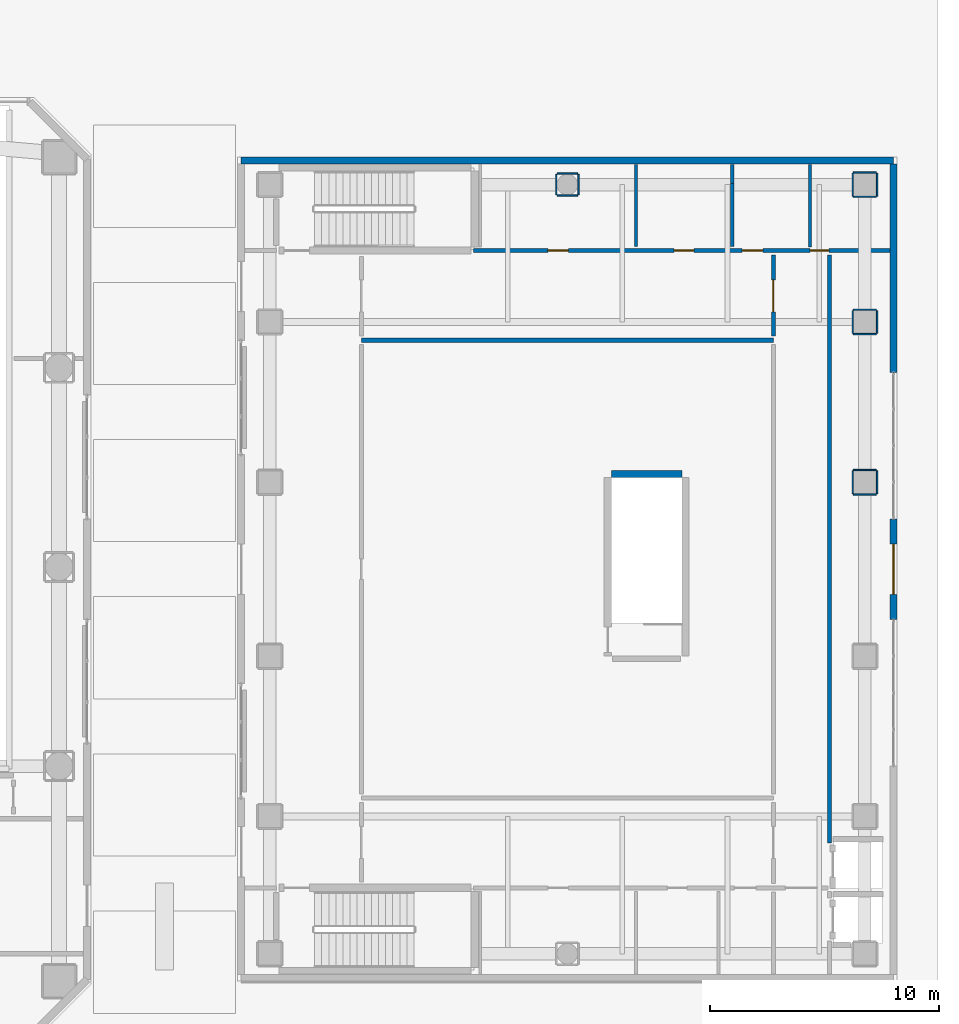
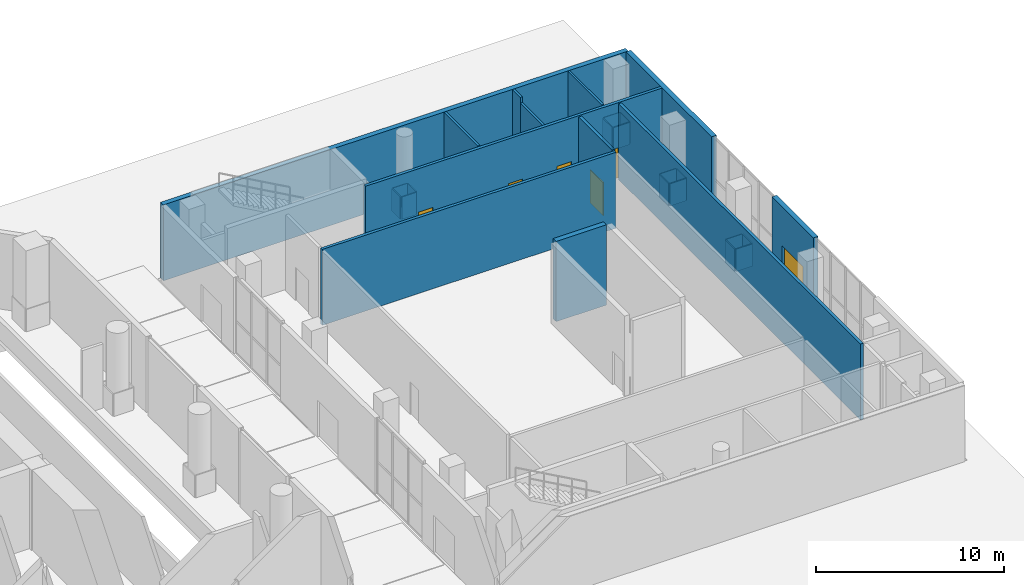
# One storey, part 25 of 30: 28 walls, 6 doors, 6 openings.
"""IFC4 building model written with IfcOpenShell, lengths in metres."""

from ifc_helpers import new_model, si_unit, direction, frame, frame_2d, origin, place, context, subcontext, project, spatial, rectangle, extrude, material, layer, layer_set, type_object, element, fill, save


model = new_model("IFC4")

# Units and contexts
model_context = context("Model", 3, precision=1e-05, world=origin(), true_north=direction((0.0, 1.0)))
body_context = subcontext(model_context, "Body", "Model", "MODEL_VIEW")
ifc_project = project(units=[si_unit("LENGTHUNIT", "METRE"), si_unit("AREAUNIT", "SQUARE_METRE"), si_unit("VOLUMEUNIT", "CUBIC_METRE"), si_unit("PLANEANGLEUNIT", "RADIAN"), si_unit("MASSUNIT", "GRAM", prefix="KILO")], contexts=[model_context])

# Site, building, storey
site_placement = place(None, origin())
site = spatial("IfcSite", under=ifc_project, at=site_placement, CompositionType="ELEMENT")
building_placement = place(site_placement, origin())
building = spatial("IfcBuilding", under=site, at=building_placement, Name="Solanera Arch Residences", CompositionType="ELEMENT")
storey_placement = place(building_placement, origin())
storey = spatial("IfcBuildingStorey", under=building, at=storey_placement, Name="L00", CompositionType="ELEMENT", Elevation=0.0)

# Walls
ifc_material_1 = material(Name="Fire-Rated Gypsum Stud Partition", Category="gypsum")
ifc_layer_1 = layer(ifc_material_1, 0.06005859375)
ifc_layer_set_1 = layer_set([ifc_layer_1], Name="Fire-Rated Gypsum Stud Partition")
wall_type_1 = type_object("IfcWallType", Name="Column Acoustic Furring Wall 60", PredefinedType="PARTITIONING", material=ifc_layer_set_1)
for number, where, z_axis, x_axis, name in (
    (1, (81.300048828125, 33.867919921875, 0.0), (0.0, 0.0, 1.0), (1.0, 0.0, 0.0), "L00 Column Furring 34S"),
    (2, (81.300048828125, 34.931884765625, 0.0), (0.0, 0.0, 1.0), (1.0, 0.0, 0.0), "L00 Column Furring 34N"),
    (3, (81.26806640625, 33.89990234375, 0.0), (0.0, 0.0, 1.0), (0.0, 1.0, 0.0), "L00 Column Furring 34W"),
    (4, (82.33203125, 33.89990234375, 0.0), (0.0, 0.0, 1.0), (0.0, 1.0, 0.0), "L00 Column Furring 34E"),
    (5, (81.300048828125, 40.867919921875, 0.0), (0.0, 0.0, 1.0), (1.0, 0.0, 0.0), "L00 Column Furring 35S"),
    (6, (81.300048828125, 41.931884765625, 0.0), (0.0, 0.0, 1.0), (1.0, 0.0, 0.0), "L00 Column Furring 35N"),
    (7, (81.26806640625, 40.89990234375, 0.0), (0.0, 0.0, 1.0), (0.0, 1.0, 0.0), "L00 Column Furring 35W"),
    (8, (82.33203125, 40.89990234375, 0.0), (0.0, 0.0, 1.0), (0.0, 1.0, 0.0), "L00 Column Furring 35E"),
    (9, (81.300048828125, 46.867919921875, 0.0), (0.0, 0.0, 1.0), (1.0, 0.0, 0.0), "L00 Column Furring 36S"),
    (10, (81.300048828125, 47.931884765625, 0.0), (0.0, 0.0, 1.0), (1.0, 0.0, 0.0), "L00 Column Furring 36N"),
    (11, (81.26806640625, 46.89990234375, 0.0), (0.0, 0.0, 1.0), (0.0, 1.0, 0.0), "L00 Column Furring 36W"),
    (12, (82.33203125, 46.89990234375, 0.0), (0.0, 0.0, 1.0), (0.0, 1.0, 0.0), "L00 Column Furring 36E"),
):
    element("IfcWall", number, at=place(storey_placement, frame(where, z_axis=z_axis, x_axis=x_axis)), inside=storey, type_object=wall_type_1, Name=name, PredefinedType="PARTITIONING", context=body_context, shape_type="SweptSolid", body=[
        extrude(rectangle(XDim=1.0, YDim=0.06005859375, at=frame_2d((0.5, 0.0))), origin(), (0.0, 0.0, 1.0), 1.449951171875),
    ])
for number, where, z_axis, x_axis, name in (
    (13, (68.35009765625, 46.91796875, 0.0), (0.0, 0.0, 1.0), (1.0, 0.0, 0.0), "L00 Column Furring 38S"),
    (14, (68.35009765625, 47.882080078125, 0.0), (0.0, 0.0, 1.0), (1.0, 0.0, 0.0), "L00 Column Furring 38N"),
):
    element("IfcWall", number, at=place(storey_placement, frame(where, z_axis=z_axis, x_axis=x_axis)), inside=storey, type_object=wall_type_1, Name=name, PredefinedType="PARTITIONING", context=body_context, shape_type="SweptSolid", body=[
        extrude(rectangle(XDim=0.89990234375, YDim=0.06005859375, at=frame_2d((0.449951171875, 0.0))), origin(), (0.0, 0.0, 1.0), 1.449951171875),
    ])
for number, where, z_axis, x_axis, name in (
    (15, (68.318115234375, 46.949951171875, 0.0), (0.0, 0.0, 1.0), (0.0, 1.0, 0.0), "L00 Column Furring 38W"),
    (16, (69.281982421875, 46.949951171875, 0.0), (0.0, 0.0, 1.0), (0.0, 1.0, 0.0), "L00 Column Furring 38E"),
):
    element("IfcWall", number, at=place(storey_placement, frame(where, z_axis=z_axis, x_axis=x_axis)), inside=storey, type_object=wall_type_1, Name=name, PredefinedType="PARTITIONING", context=body_context, shape_type="SweptSolid", body=[
        extrude(rectangle(XDim=0.900146484375, YDim=0.06005859375, at=frame_2d((0.4501953125, 0.0))), origin(), (0.0, 0.0, 1.0), 1.449951171875),
    ])
ifc_material_2 = material(Name="Concrete C40/50 (f'c = 45 MPa)", Category="concrete")
ifc_layer_2 = layer(ifc_material_2, 0.320068359375)
ifc_layer_set_2 = layer_set([ifc_layer_2], Name="Concrete C40/50 (f'c = 45 MPa)")
wall_type_2 = type_object("IfcWallType", Name="Core Shear Wall CW-320", PredefinedType="SHEAR", material=ifc_layer_set_2)
wall_1_placement = place(storey_placement, frame((70.719970703125, 34.760009765625, 0.0), z_axis=(0.0, 0.0, 1.0), x_axis=(1.0, 0.0, 0.0)))
element("IfcWall", 17, at=wall_1_placement, inside=storey, type_object=wall_type_2, Name="L00 Stair ST-B1 North Shear Wall", PredefinedType="SHEAR", context=body_context, shape_type="SweptSolid", body=[
    extrude(rectangle(XDim=3.080078125, YDim=0.320068359375, at=frame_2d((1.5400390625, 0.0))), origin(), (0.0, 0.0, 1.0), 5.199951171875),
])
ifc_material_3 = material(Name="Autoclaved Aerated Concrete Blockwork", Category="masonry")
ifc_layer_3 = layer(ifc_material_3, 0.179931640625)
ifc_layer_set_3 = layer_set([ifc_layer_3], Name="Autoclaved Aerated Concrete Blockwork")
wall_type_3 = type_object("IfcWallType", Name="Corridor Fire Partition 180", PredefinedType="PARTITIONING", material=ifc_layer_set_3)
wall_2_placement = place(storey_placement, frame((59.800048828125, 40.60009765625, 0.0), z_axis=(0.0, 0.0, 1.0), x_axis=(1.0, 0.0, 0.0)))
element("IfcWall", 18, at=wall_2_placement, inside=storey, type_object=wall_type_3, Name="L00 Interior Partition H20", PredefinedType="PARTITIONING", context=body_context, shape_type="SweptSolid", body=[
    extrude(rectangle(XDim=18.0, YDim=0.179931640625, at=frame_2d((9.0, 0.0))), origin(), (0.0, 0.0, 1.0), 4.919921875),
])

# Wall, openings, doors
wall_3_placement = place(storey_placement, frame((64.699951171875, 44.52001953125, 0.0), z_axis=(0.0, 0.0, 1.0), x_axis=(1.0, 0.0, 0.0)))
wall_3 = element("IfcWall", 19, at=wall_3_placement, inside=storey, type_object=wall_type_3, Name="L00 Interior Partition H22 2", PredefinedType="PARTITIONING", context=body_context, shape_type="SweptSolid", body=[
    extrude(rectangle(XDim=18.18798828125, YDim=0.179931640625, at=frame_2d((9.093994140625, 0.0))), origin(), (0.0, 0.0, 1.0), 4.919921875),
])
opening_1_placement = place(wall_3_placement, frame((3.25, 0.0, 0.0)))
opening_1 = element("IfcOpeningElement", 20, at=opening_1_placement, cuts=wall_3, Name="Opening DI-02", PredefinedType="OPENING", context=body_context, shape_type="SweptSolid", body=[
    extrude(rectangle(XDim=0.89990234375, YDim=2.10009765625, at=frame_2d((0.449951171875, 1.050048828125))), frame((0.0, 0.10009765625, 0.0), z_axis=(0.0, -1.0, 0.0), x_axis=(1.0, 0.0, 0.0)), (0.0, 0.0, 1.0), 0.1999),
])
opening_2_placement = place(wall_3_placement, frame((8.77001953125, 0.0, 0.0)))
opening_2 = element("IfcOpeningElement", 21, at=opening_2_placement, cuts=wall_3, Name="Opening DI-05", PredefinedType="OPENING", context=body_context, shape_type="SweptSolid", body=[
    extrude(rectangle(XDim=0.860107421875, YDim=2.02001953125, at=frame_2d((0.43017578125, 1.010009765625))), frame((0.0, 0.10009765625, 0.0), z_axis=(0.0, -1.0, 0.0), x_axis=(1.0, 0.0, 0.0)), (0.0, 0.0, 1.0), 0.1999),
])
opening_3_placement = place(wall_3_placement, frame((11.739990234375, 0.0, 0.0)))
opening_3 = element("IfcOpeningElement", 22, at=opening_3_placement, cuts=wall_3, Name="Opening DI-02", PredefinedType="OPENING", context=body_context, shape_type="SweptSolid", body=[
    extrude(rectangle(XDim=0.89990234375, YDim=2.10009765625, at=frame_2d((0.449951171875, 1.050048828125))), frame((0.0, 0.10009765625, 0.0), z_axis=(0.0, -1.0, 0.0), x_axis=(1.0, 0.0, 0.0)), (0.0, 0.0, 1.0), 0.1999),
])
opening_4_placement = place(wall_3_placement, frame((14.7060546875, 0.0, 0.0)))
opening_4 = element("IfcOpeningElement", 23, at=opening_4_placement, cuts=wall_3, Name="Opening DI-06", PredefinedType="OPENING", context=body_context, shape_type="SweptSolid", body=[
    extrude(rectangle(XDim=0.820068359375, YDim=2.0, at=frame_2d((0.41015625, 1.0))), frame((0.0, 0.10009765625, 0.0), z_axis=(0.0, -1.0, 0.0), x_axis=(1.0, 0.0, 0.0)), (0.0, 0.0, 1.0), 0.1999),
])
ifc_material_4 = material(Name="Fire-Rated Architectural Hardwood", Category="wood")
door_type_1 = type_object("IfcDoorType", Name="Bathroom Swing Door DI-05", OperationType="NOTDEFINED", PredefinedType="DOOR", material=ifc_material_4)
door_1_placement = place(opening_2_placement, origin())
door_1 = element("IfcDoor", 24, at=door_1_placement, inside=storey, type_object=door_type_1, Name="DR-L00-IN-047", OperationType="SINGLE_SWING_LEFT", OverallHeight=2.02001953125, OverallWidth=0.860107421875, PredefinedType="DOOR", context=body_context, shape_type="SweptSolid", body=[
    extrude(rectangle(XDim=0.860107421875, YDim=2.02001953125, at=frame_2d((0.43017578125, 1.010009765625))), frame((0.0, 0.02490234375, 0.0), z_axis=(0.0, -1.0, 0.0), x_axis=(1.0, 0.0, 0.0)), (0.0, 0.0, 1.0), 0.050048828125),
])
fill(opening_2, door_1)
ifc_material_5 = material(Name="Fire-Rated Architectural Hardwood", Category="wood")
door_type_2 = type_object("IfcDoorType", Name="Compact Room Door DI-06", OperationType="NOTDEFINED", PredefinedType="DOOR", material=ifc_material_5)
door_2_placement = place(opening_4_placement, origin())
door_2 = element("IfcDoor", 25, at=door_2_placement, inside=storey, type_object=door_type_2, Name="DR-L00-IN-049", OperationType="SINGLE_SWING_LEFT", OverallHeight=2.0, OverallWidth=0.820068359375, PredefinedType="DOOR", context=body_context, shape_type="SweptSolid", body=[
    extrude(rectangle(XDim=0.820068359375, YDim=2.0, at=frame_2d((0.41015625, 1.0))), frame((0.0, 0.02490234375, 0.0), z_axis=(0.0, -1.0, 0.0), x_axis=(1.0, 0.0, 0.0)), (0.0, 0.0, 1.0), 0.050048828125),
])
fill(opening_4, door_2)
ifc_material_6 = material(Name="Fire-Rated Architectural Hardwood", Category="wood")
door_type_3 = type_object("IfcDoorType", Name="Suite Room Swing Door DI-02", OperationType="NOTDEFINED", PredefinedType="DOOR", material=ifc_material_6)
door_3_placement = place(opening_1_placement, origin())
door_3 = element("IfcDoor", 26, at=door_3_placement, inside=storey, type_object=door_type_3, Name="DR-L00-IN-046", OperationType="SINGLE_SWING_RIGHT", OverallHeight=2.10009765625, OverallWidth=0.89990234375, PredefinedType="DOOR", context=body_context, shape_type="SweptSolid", body=[
    extrude(rectangle(XDim=0.89990234375, YDim=2.10009765625, at=frame_2d((0.449951171875, 1.050048828125))), frame((0.0, 0.02490234375, 0.0), z_axis=(0.0, -1.0, 0.0), x_axis=(1.0, 0.0, 0.0)), (0.0, 0.0, 1.0), 0.050048828125),
])
fill(opening_1, door_3)
door_4_placement = place(opening_3_placement, origin())
door_4 = element("IfcDoor", 27, at=door_4_placement, inside=storey, type_object=door_type_3, Name="DR-L00-IN-048", OperationType="SINGLE_SWING_RIGHT", OverallHeight=2.10009765625, OverallWidth=0.89990234375, PredefinedType="DOOR", context=body_context, shape_type="SweptSolid", body=[
    extrude(rectangle(XDim=0.89990234375, YDim=2.10009765625, at=frame_2d((0.449951171875, 1.050048828125))), frame((0.0, 0.02490234375, 0.0), z_axis=(0.0, -1.0, 0.0), x_axis=(1.0, 0.0, 0.0)), (0.0, 0.0, 1.0), 0.050048828125),
])
fill(opening_3, door_4)

# Wall, opening, door
wall_4_placement = place(storey_placement, frame((77.800048828125, 40.7880859375, 0.0), z_axis=(0.0, 0.0, 1.0), x_axis=(0.0, 1.0, 0.0)))
wall_4 = element("IfcWall", 28, at=wall_4_placement, inside=storey, type_object=wall_type_3, Name="L00 Interior Partition V20 4", PredefinedType="PARTITIONING", context=body_context, shape_type="SweptSolid", body=[
    extrude(rectangle(XDim=3.5439453125, YDim=0.179931640625, at=frame_2d((1.77197265625, 0.0))), origin(), (0.0, 0.0, 1.0), 4.919921875),
])
opening_5_placement = place(wall_4_placement, frame((1.048095703125, 0.0, 0.0)))
opening_5 = element("IfcOpeningElement", 29, at=opening_5_placement, cuts=wall_4, Name="Opening DF-03", PredefinedType="OPENING", context=body_context, shape_type="SweptSolid", body=[
    extrude(rectangle(XDim=1.39990234375, YDim=2.14990234375, at=frame_2d((0.699951171875, 1.074951171875))), frame((0.0, 0.10009765625, 0.0), z_axis=(0.0, -1.0, 0.0), x_axis=(1.0, 0.0, 0.0)), (0.0, 0.0, 1.0), 0.1999),
])
ifc_material_7 = material(Name="Fire-Rated Architectural Hardwood", Category="wood")
door_type_4 = type_object("IfcDoorType", Name="Corridor Smoke Door DF-03", OperationType="NOTDEFINED", PredefinedType="DOOR", material=ifc_material_7)
door_5_placement = place(opening_5_placement, origin())
door_5 = element("IfcDoor", 30, at=door_5_placement, inside=storey, type_object=door_type_4, Name="DR-L00-IN-027", OperationType="SINGLE_SWING_LEFT", OverallHeight=2.14990234375, OverallWidth=1.39990234375, PredefinedType="DOOR", context=body_context, shape_type="SweptSolid", body=[
    extrude(rectangle(XDim=1.39990234375, YDim=2.14990234375, at=frame_2d((0.699951171875, 1.074951171875))), frame((0.0, 0.02490234375, 0.0), z_axis=(0.0, -1.0, 0.0), x_axis=(1.0, 0.0, 0.0)), (0.0, 0.0, 1.0), 0.050048828125),
])
fill(opening_5, door_5)

# Walls
wall_5_placement = place(storey_placement, frame((80.25, 18.64501953125, 0.0), z_axis=(0.0, 0.0, 1.0), x_axis=(0.0, 1.0, 0.0)))
element("IfcWall", 31, at=wall_5_placement, inside=storey, type_object=wall_type_3, Name="L00 Interior Partition V21 3", PredefinedType="PARTITIONING", context=body_context, shape_type="SweptSolid", body=[
    extrude(rectangle(XDim=25.68701171875, YDim=0.179931640625, at=frame_2d((12.843505859375, 0.0))), origin(), (0.0, 0.0, 1.0), 4.919921875),
])
ifc_material_8 = material(Name="Precast Concrete C35/45", Category="concrete")
ifc_layer_4 = layer(ifc_material_8, 0.300048828125)
ifc_layer_set_4 = layer_set([ifc_layer_4], Name="Precast Concrete C35/45")
wall_type_4 = type_object("IfcWallType", Name="Exterior Wall Precast Masonry-Frame 300", PredefinedType="STANDARD", material=ifc_layer_set_4)
wall_6_placement = place(storey_placement, frame((54.550048828125, 48.449951171875, 0.0), z_axis=(0.0, 0.0, 1.0), x_axis=(1.0, 0.0, 0.0)))
element("IfcWall", 32, at=wall_6_placement, inside=storey, type_object=wall_type_4, Name="L00 Sports Hall Exterior Precast Wall N", PredefinedType="STANDARD", context=body_context, shape_type="SweptSolid", body=[
    extrude(rectangle(XDim=28.5, YDim=0.300048828125, at=frame_2d((14.25, 0.0))), origin(), (0.0, 0.0, 1.0), 4.919921875),
])
wall_7_placement = place(storey_placement, frame((83.050048828125, 48.300048828125, 0.0), z_axis=(0.0, 0.0, 1.0), x_axis=(0.0, -1.0, 0.0)))
element("IfcWall", 33, at=wall_7_placement, inside=storey, type_object=wall_type_4, Name="L00 Sports Hall East Pier 1", PredefinedType="STANDARD", context=body_context, shape_type="SweptSolid", body=[
    extrude(rectangle(XDim=9.10009765625, YDim=0.300048828125, at=frame_2d((4.550048828125, 0.0))), origin(), (0.0, 0.0, 1.0), 4.919921875),
])

# Wall, opening, door
wall_8_placement = place(storey_placement, frame((83.050048828125, 32.800048828125, 0.0), z_axis=(0.0, 0.0, 1.0), x_axis=(0.0, -1.0, 0.0)))
wall_8 = element("IfcWall", 34, at=wall_8_placement, inside=storey, type_object=wall_type_4, Name="L00 Sports Hall East Central Pier", PredefinedType="STANDARD", context=body_context, shape_type="SweptSolid", body=[
    extrude(rectangle(XDim=4.400146484375, YDim=0.300048828125, at=frame_2d((2.2001953125, 0.0))), origin(), (0.0, 0.0, 1.0), 4.919921875),
])
opening_6_placement = place(wall_8_placement, frame((1.10009765625, 0.0, 0.0)))
opening_6 = element("IfcOpeningElement", 35, at=opening_6_placement, cuts=wall_8, Name="Opening EX-03", PredefinedType="OPENING", context=body_context, shape_type="SweptSolid", body=[
    extrude(rectangle(XDim=2.199951171875, YDim=2.39990234375, at=frame_2d((1.10009765625, 1.199951171875))), frame((0.0, 0.159912109375, 0.0), z_axis=(0.0, -1.0, 0.0), x_axis=(1.0, 0.0, 0.0)), (0.0, 0.0, 1.0), 0.32),
])
ifc_material_9 = material(Name="Anodised Aluminium Alloy 6063-T6", Category="aluminium")
door_type_5 = type_object("IfcDoorType", Name="Arena Public Exit Double Door EX-03", OperationType="NOTDEFINED", PredefinedType="DOOR", material=ifc_material_9)
door_6_placement = place(opening_6_placement, origin())
door_6 = element("IfcDoor", 36, at=door_6_placement, inside=storey, type_object=door_type_5, Name="DR-L00-SH-EX-E", OperationType="DOUBLE_DOOR_SINGLE_SWING", OverallHeight=2.39990234375, OverallWidth=2.199951171875, PredefinedType="DOOR", context=body_context, shape_type="SweptSolid", body=[
    extrude(rectangle(XDim=2.199951171875, YDim=2.39990234375, at=frame_2d((1.10009765625, 1.199951171875))), frame((0.0, 0.02490234375, 0.0), z_axis=(0.0, -1.0, 0.0), x_axis=(1.0, 0.0, 0.0)), (0.0, 0.0, 1.0), 0.050048828125),
])
fill(opening_6, door_6)

# Walls
ifc_material_10 = material(Name="Fire-Rated Gypsum Stud Partition", Category="gypsum")
ifc_layer_5 = layer(ifc_material_10, 0.1201171875)
ifc_layer_set_5 = layer_set([ifc_layer_5], Name="Fire-Rated Gypsum Stud Partition")
wall_type_5 = type_object("IfcWallType", Name="Unit Drywall Partition 120", PredefinedType="PARTITIONING", material=ifc_layer_set_5)
wall_9_placement = place(storey_placement, frame((79.39990234375, 44.677978515625, 0.0), z_axis=(0.0, 0.0, 1.0), x_axis=(0.0, 1.0, 0.0)))
element("IfcWall", 37, at=wall_9_placement, inside=storey, type_object=wall_type_5, Name="L00 Interior Partition V30", PredefinedType="PARTITIONING", context=body_context, shape_type="SweptSolid", body=[
    extrude(rectangle(XDim=3.610107421875, YDim=0.1201171875, at=frame_2d((1.80517578125, 0.0))), origin(), (0.0, 0.0, 1.0), 4.919921875),
])
ifc_material_11 = material(Name="Autoclaved Aerated Concrete Blockwork", Category="masonry")
ifc_layer_6 = layer(ifc_material_11, 0.139892578125)
ifc_layer_set_6 = layer_set([ifc_layer_6], Name="Autoclaved Aerated Concrete Blockwork")
wall_type_6 = type_object("IfcWallType", Name="Wet-Room Partition 140", PredefinedType="PARTITIONING", material=ifc_layer_set_6)
wall_10_placement = place(storey_placement, frame((71.800048828125, 44.68798828125, 0.0), z_axis=(0.0, 0.0, 1.0), x_axis=(0.0, 1.0, 0.0)))
element("IfcWall", 38, at=wall_10_placement, inside=storey, type_object=wall_type_6, Name="L00 Interior Partition V24", PredefinedType="PARTITIONING", context=body_context, shape_type="SweptSolid", body=[
    extrude(rectangle(XDim=3.60009765625, YDim=0.139892578125, at=frame_2d((1.800048828125, 0.0))), origin(), (0.0, 0.0, 1.0), 4.919921875),
])
wall_11_placement = place(storey_placement, frame((76.0, 44.68798828125, 0.0), z_axis=(0.0, 0.0, 1.0), x_axis=(0.0, 1.0, 0.0)))
element("IfcWall", 39, at=wall_11_placement, inside=storey, type_object=wall_type_6, Name="L00 Interior Partition V26 1", PredefinedType="PARTITIONING", context=body_context, shape_type="SweptSolid", body=[
    extrude(rectangle(XDim=2.751953125, YDim=0.139892578125, at=frame_2d((1.3759765625, 0.0))), origin(), (0.0, 0.0, 1.0), 4.551025390625),
])
wall_12_placement = place(storey_placement, frame((76.0, 47.43994140625, 0.0), z_axis=(0.0, 0.0, 1.0), x_axis=(0.0, 1.0, 0.0)))
element("IfcWall", 40, at=wall_12_placement, inside=storey, type_object=wall_type_6, Name="L00 Interior Partition V26 2", PredefinedType="PARTITIONING", context=body_context, shape_type="SweptSolid", body=[
    extrude(rectangle(XDim=0.84814453125, YDim=0.139892578125, at=frame_2d((0.424072265625, 0.0))), origin(), (0.0, 0.0, 1.0), 4.919921875),
])

save(model, "model.ifc")
